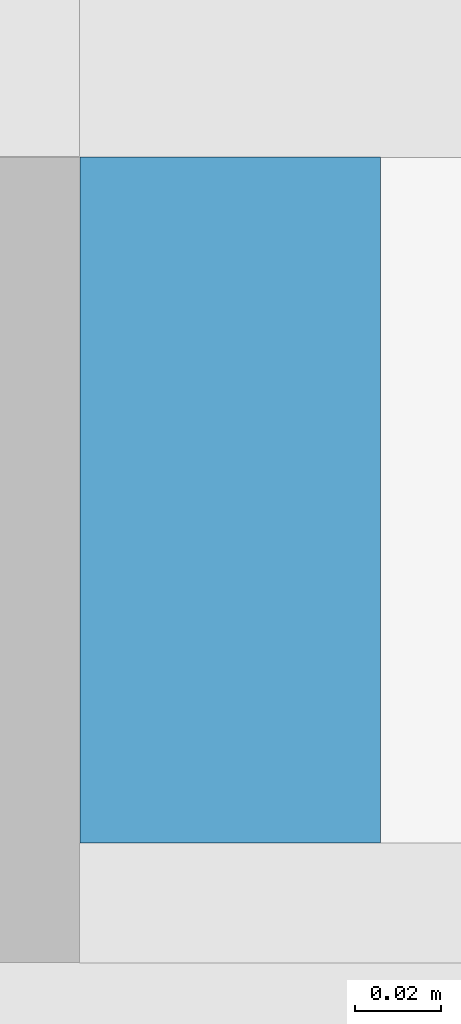
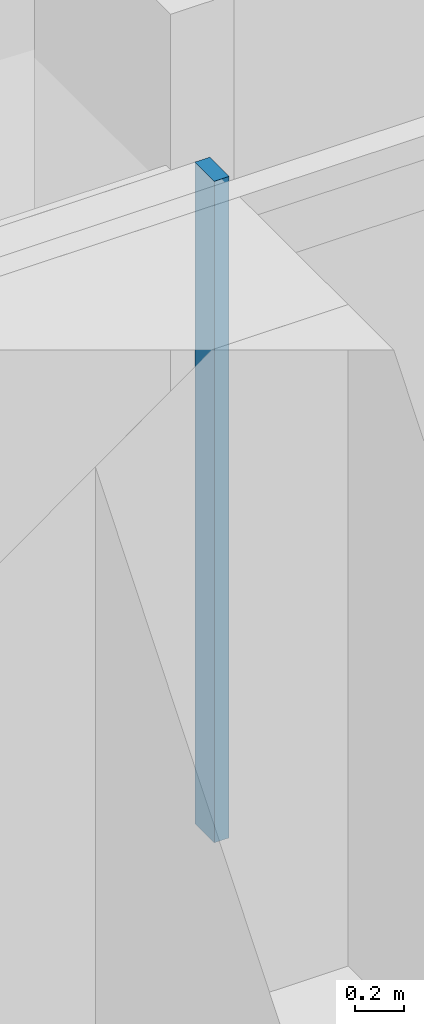
# One storey, part 10 of 29: 1 member, 1 element without a shape of its own.
"""IFC4 building model written with IfcOpenShell, lengths in metres."""

from ifc_helpers import new_model, si_unit, direction, frame, origin, origin_2d, place, context, subcontext, project, spatial, rectangle, extrude, material, material_profile, profile_set, type_object, element, aggregate, save


model = new_model("IFC4")

# Units and contexts
model_context = context("Model", 3, precision=1e-05, world=origin(), true_north=direction((0.0, 1.0)))
body_context = subcontext(model_context, "Body", "Model", "MODEL_VIEW")
ifc_project = project(units=[si_unit("LENGTHUNIT", "METRE"), si_unit("AREAUNIT", "SQUARE_METRE"), si_unit("VOLUMEUNIT", "CUBIC_METRE"), si_unit("PLANEANGLEUNIT", "RADIAN"), si_unit("MASSUNIT", "GRAM", prefix="KILO")], contexts=[model_context])

# Site, building, storey
site_placement = place(None, origin())
site = spatial("IfcSite", under=ifc_project, at=site_placement, CompositionType="ELEMENT")
building_placement = place(site_placement, origin())
building = spatial("IfcBuilding", under=site, at=building_placement, Name="Saffron Gate Tower", CompositionType="ELEMENT")
storey_placement = place(building_placement, frame((0.0, 0.0, 58.800048828125)))
storey = spatial("IfcBuildingStorey", under=building, at=storey_placement, Name="L13", CompositionType="ELEMENT", Elevation=58.800048828125)

# Curtain wall, member
ifc_material = material(Name="Aluminium, bronze anodised", Category="aluminium")
curtain_wall_type = type_object("IfcCurtainWallType", Name="CWS3 curtain wall rear facade", PredefinedType="NOTDEFINED", material=ifc_material)
curtain_wall_placement = place(storey_placement, origin())
curtain_wall = element("IfcCurtainWall", 1, at=curtain_wall_placement, inside=storey, type_object=curtain_wall_type, Name="CWS3 run 7", PredefinedType="NOTDEFINED")
ifc_material_profile = material_profile(ifc_material, rectangle(XDim=0.159912109375, YDim=0.070068359375, at=origin_2d()))
ifc_profile_set = profile_set([ifc_material_profile], Name="Aluminium, bronze anodised")
member_type = type_object("IfcMemberType", Name="CWS3 mullion 70x160", PredefinedType="MULLION", material=ifc_profile_set)
member_placement = place(storey_placement, frame((108.60009765625, 75.52001953125, 0.0), z_axis=(0.0, 0.0, 1.0), x_axis=(0.0, -1.0, 0.0)))
member = element("IfcMember", 2, at=member_placement, type_object=member_type, Name="CWS3 mullion 3", PredefinedType="MULLION", context=body_context, shape_type="SweptSolid", body=[
    extrude(rectangle(XDim=0.159912109375, YDim=0.070068359375, at=origin_2d()), origin(), (0.0, 0.0, 1.0), 3.320068359375),
])
aggregate(curtain_wall, [member])

save(model, "model.ifc")
